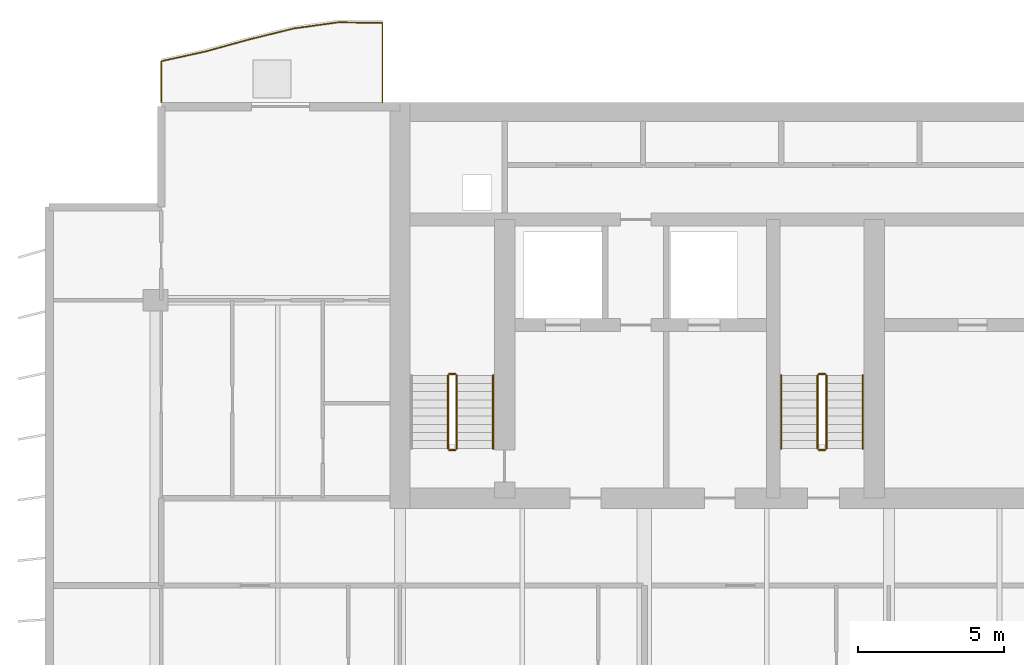
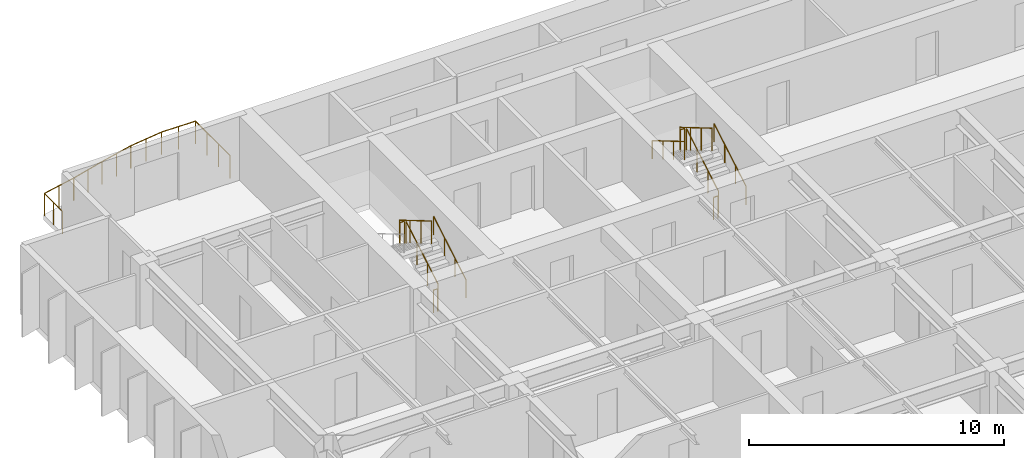
# One storey, part 14 of 16: 12 railings.
"""IFC4 building model written with IfcOpenShell, lengths in metres."""

from ifc_helpers import new_model, si_unit, direction, frame, origin, origin_2d, place, context, subcontext, project, spatial, circle, extrude, material, type_object, element, save


model = new_model("IFC4")

# Units and contexts
model_context = context("Model", 3, precision=1e-05, world=origin(), true_north=direction((0.0, 1.0)))
body_context = subcontext(model_context, "Body", "Model", "MODEL_VIEW")
ifc_project = project(units=[si_unit("LENGTHUNIT", "METRE"), si_unit("AREAUNIT", "SQUARE_METRE"), si_unit("VOLUMEUNIT", "CUBIC_METRE"), si_unit("PLANEANGLEUNIT", "RADIAN"), si_unit("MASSUNIT", "GRAM", prefix="KILO")], contexts=[model_context])

# Site, building, storey
site_placement = place(None, origin())
site = spatial("IfcSite", under=ifc_project, at=site_placement, CompositionType="ELEMENT")
building_placement = place(site_placement, origin())
building = spatial("IfcBuilding", under=site, at=building_placement, Name="Caelmar Bay Residences", CompositionType="ELEMENT")
storey_placement = place(building_placement, frame((0.0, 0.0, 211.5)))
storey = spatial("IfcBuildingStorey", under=building, at=storey_placement, Name="L59", CompositionType="ELEMENT", Elevation=211.5)

# Railings
ifc_material_1 = material(Name="Anodised bronze handrail with laminated hurricane glass infill", Category="glass")
railing_type_1 = type_object("IfcRailingType", Name="RL-BAL-1100", PredefinedType="BALUSTRADE", material=ifc_material_1)
railing_1_placement = place(storey_placement, frame((17.699951171875, 50.60009765625, 0.0)))
element("IfcRailing", 1, at=railing_1_placement, inside=storey, type_object=railing_type_1, Name="L59 north_west Balcony Balustrade", PredefinedType="BALUSTRADE", context=body_context, shape_type="SweptSolid", body=[
    extrude(circle(Radius=0.02392578125, at=origin_2d()), frame((0.0, 0.0, 1.076171875), z_axis=(0.0, 1.0, 0.0), x_axis=(-1.0, 0.0, 0.0)), (0.0, 0.0, 1.0), 2.7294921875),
    extrude(circle(Radius=0.02392578125, at=origin_2d()), frame((0.0, 2.7294921875, 1.076171875), z_axis=(-0.999921532492, 0.012527124885, 0.0), x_axis=(-0.012527124885, -0.999921532492, 0.0)), (0.0, 0.0, 1.0), 1.52001953125),
    extrude(circle(Radius=0.02392578125, at=origin_2d()), frame((-1.52001953125, 2.74853515625, 1.076171875), z_axis=(-0.990551196857, -0.137143451926, 0.0), x_axis=(0.137143451926, -0.990551196857, 0.0)), (0.0, 0.0, 1.0), 1.534423828125),
    extrude(circle(Radius=0.02392578125, at=origin_2d()), frame((-3.0400390625, 2.5380859375, 1.076171875), z_axis=(-0.971143394628, -0.238496346031, 0.0), x_axis=(0.238496346031, -0.971143394628, 0.0)), (0.0, 0.0, 1.0), 1.565185546875),
    extrude(circle(Radius=0.02392578125, at=origin_2d()), frame((-4.56005859375, 2.164794921875, 1.076171875), z_axis=(-0.964041885028, -0.265750341319, 0.0), x_axis=(0.265750341319, -0.964041885028, 0.0)), (0.0, 0.0, 1.0), 1.576416015625),
    extrude(circle(Radius=0.02392578125, at=origin_2d()), frame((-6.079833984375, 1.745849609375, 1.076171875), z_axis=(-0.976865202557, -0.2138559703, 0.0), x_axis=(0.2138559703, -0.976865202557, 0.0)), (0.0, 0.0, 1.0), 1.555908203125),
    extrude(circle(Radius=0.02392578125, at=origin_2d()), frame((-7.599853515625, 1.4130859375, 1.076171875), z_axis=(0.0, -1.0, 0.0), x_axis=(1.0, 0.0, 0.0)), (0.0, 0.0, 1.0), 1.4130859375),
    extrude(circle(Radius=0.02099609375, at=origin_2d()), origin(), (0.0, 0.0, 1.0), 1.052001953125),
    extrude(circle(Radius=0.02099609375, at=origin_2d()), frame((0.0, 0.909912109375, 0.0)), (0.0, 0.0, 1.0), 1.052001953125),
    extrude(circle(Radius=0.02099609375, at=origin_2d()), frame((0.0, 1.819580078125, 0.0)), (0.0, 0.0, 1.0), 1.052001953125),
    extrude(circle(Radius=0.02099609375, at=origin_2d()), frame((0.0, 2.7294921875, 0.0)), (0.0, 0.0, 1.0), 1.052001953125),
    extrude(circle(Radius=0.02099609375, at=origin_2d()), frame((-0.760009765625, 2.739013671875, 0.0)), (0.0, 0.0, 1.0), 1.052001953125),
    extrude(circle(Radius=0.02099609375, at=origin_2d()), frame((-1.52001953125, 2.74853515625, 0.0)), (0.0, 0.0, 1.0), 1.052001953125),
    extrude(circle(Radius=0.02099609375, at=origin_2d()), frame((-2.280029296875, 2.643310546875, 0.0)), (0.0, 0.0, 1.0), 1.052001953125),
    extrude(circle(Radius=0.02099609375, at=origin_2d()), frame((-3.0400390625, 2.5380859375, 0.0)), (0.0, 0.0, 1.0), 1.052001953125),
    extrude(circle(Radius=0.02099609375, at=origin_2d()), frame((-3.800048828125, 2.3515625, 0.0)), (0.0, 0.0, 1.0), 1.052001953125),
    extrude(circle(Radius=0.02099609375, at=origin_2d()), frame((-4.56005859375, 2.164794921875, 0.0)), (0.0, 0.0, 1.0), 1.052001953125),
    extrude(circle(Radius=0.02099609375, at=origin_2d()), frame((-5.31982421875, 1.955322265625, 0.0)), (0.0, 0.0, 1.0), 1.052001953125),
    extrude(circle(Radius=0.02099609375, at=origin_2d()), frame((-6.079833984375, 1.745849609375, 0.0)), (0.0, 0.0, 1.0), 1.052001953125),
    extrude(circle(Radius=0.02099609375, at=origin_2d()), frame((-6.83984375, 1.57958984375, 0.0)), (0.0, 0.0, 1.0), 1.052001953125),
    extrude(circle(Radius=0.02099609375, at=origin_2d()), frame((-7.599853515625, 1.4130859375, 0.0)), (0.0, 0.0, 1.0), 1.052001953125),
    extrude(circle(Radius=0.02099609375, at=origin_2d()), frame((-7.599853515625, 0.70654296875, 0.0)), (0.0, 0.0, 1.0), 1.052001953125),
    extrude(circle(Radius=0.02099609375, at=origin_2d()), frame((-7.599853515625, 0.0, 0.0)), (0.0, 0.0, 1.0), 1.052001953125),
])
ifc_material_2 = material(Name="Painted galvanized steel stair guard 1100 mm", Category="steel")
railing_type_2 = type_object("IfcRailingType", Name="RL-GRD-1100", PredefinedType="GUARDRAIL", material=ifc_material_2)
railing_2_placement = place(storey_placement, frame((20.25, 38.699951171875, 0.1650390625)))
element("IfcRailing", 2, at=railing_2_placement, inside=storey, type_object=railing_type_2, Name="L59 ST1 stair guard 1", PredefinedType="GUARDRAIL", context=body_context, shape_type="SweptSolid", body=[
    extrude(circle(Radius=0.02392578125, at=origin_2d()), frame((0.0, 0.0, 1.076171875), z_axis=(0.0, 0.861560626758, 0.507654692109), x_axis=(-1.0, 0.0, 0.0)), (0.0, 0.0, 1.0), 2.925048828125),
    extrude(circle(Radius=0.02099609375, at=origin_2d()), origin(), (0.0, 0.0, 1.0), 1.052001953125),
    extrude(circle(Radius=0.02099609375, at=origin_2d()), frame((0.0, 0.840087890625, 0.494873046875)), (0.0, 0.0, 1.0), 1.052001953125),
    extrude(circle(Radius=0.02099609375, at=origin_2d()), frame((0.0, 1.679931640625, 0.989990234375)), (0.0, 0.0, 1.0), 1.052001953125),
    extrude(circle(Radius=0.02099609375, at=origin_2d()), frame((0.0, 2.52001953125, 1.48486328125)), (0.0, 0.0, 1.0), 1.052001953125),
])
railing_3_placement = place(storey_placement, frame((20.199951171875, 41.27001953125, 1.64990234375)))
element("IfcRailing", 3, at=railing_3_placement, inside=storey, type_object=railing_type_2, Name="L59 ST1 stair guard 2", PredefinedType="GUARDRAIL", context=body_context, shape_type="SweptSolid", body=[
    extrude(circle(Radius=0.02392578125, at=origin_2d()), frame((0.0, 0.0, 1.076171875), z_axis=(-1.0, 0.0, 0.0), x_axis=(0.0, -1.0, 0.0)), (0.0, 0.0, 1.0), 0.199951171875),
    extrude(circle(Radius=0.02099609375, at=origin_2d()), origin(), (0.0, 0.0, 1.0), 1.052001953125),
    extrude(circle(Radius=0.02099609375, at=origin_2d()), frame((-0.199951171875, 0.0, 0.0)), (0.0, 0.0, 1.0), 1.052001953125),
])
railing_4_placement = place(storey_placement, frame((19.949951171875, 41.219970703125, 1.81494140625)))
element("IfcRailing", 4, at=railing_4_placement, inside=storey, type_object=railing_type_2, Name="L59 ST1 stair guard 3", PredefinedType="GUARDRAIL", context=body_context, shape_type="SweptSolid", body=[
    extrude(circle(Radius=0.02392578125, at=origin_2d()), frame((0.0, 0.0, 1.076171875), z_axis=(0.0, -0.86152411907, 0.507716645641), x_axis=(1.0, 0.0, 0.0)), (0.0, 0.0, 1.0), 2.925048828125),
    extrude(circle(Radius=0.02099609375, at=origin_2d()), origin(), (0.0, 0.0, 1.0), 1.052001953125),
    extrude(circle(Radius=0.02099609375, at=origin_2d()), frame((0.0, -0.840087890625, 0.4951171875)), (0.0, 0.0, 1.0), 1.052001953125),
    extrude(circle(Radius=0.02099609375, at=origin_2d()), frame((0.0, -1.679931640625, 0.989990234375)), (0.0, 0.0, 1.0), 1.052001953125),
    extrude(circle(Radius=0.02099609375, at=origin_2d()), frame((0.0, -2.52001953125, 1.485107421875)), (0.0, 0.0, 1.0), 1.052001953125),
])
railing_5_placement = place(storey_placement, frame((20.199951171875, 38.64990234375, 0.0)))
element("IfcRailing", 5, at=railing_5_placement, inside=storey, type_object=railing_type_2, Name="L59 ST1 stair guard 4", PredefinedType="GUARDRAIL", context=body_context, shape_type="SweptSolid", body=[
    extrude(circle(Radius=0.02392578125, at=origin_2d()), frame((0.0, 0.0, 1.076171875), z_axis=(-1.0, 0.0, 0.0), x_axis=(0.0, -1.0, 0.0)), (0.0, 0.0, 1.0), 0.199951171875),
    extrude(circle(Radius=0.02099609375, at=origin_2d()), origin(), (0.0, 0.0, 1.0), 1.052001953125),
    extrude(circle(Radius=0.02099609375, at=origin_2d()), frame((-0.199951171875, 0.0, 0.0)), (0.0, 0.0, 1.0), 1.052001953125),
])
railing_6_placement = place(storey_placement, frame((32.949951171875, 38.699951171875, 0.1650390625)))
element("IfcRailing", 6, at=railing_6_placement, inside=storey, type_object=railing_type_2, Name="L59 ST3 stair guard 1", PredefinedType="GUARDRAIL", context=body_context, shape_type="SweptSolid", body=[
    extrude(circle(Radius=0.02392578125, at=origin_2d()), frame((0.0, 0.0, 1.076171875), z_axis=(0.0, 0.861560626758, 0.507654692109), x_axis=(-1.0, 0.0, 0.0)), (0.0, 0.0, 1.0), 2.925048828125),
    extrude(circle(Radius=0.02099609375, at=origin_2d()), origin(), (0.0, 0.0, 1.0), 1.052001953125),
    extrude(circle(Radius=0.02099609375, at=origin_2d()), frame((0.0, 0.840087890625, 0.494873046875)), (0.0, 0.0, 1.0), 1.052001953125),
    extrude(circle(Radius=0.02099609375, at=origin_2d()), frame((0.0, 1.679931640625, 0.989990234375)), (0.0, 0.0, 1.0), 1.052001953125),
    extrude(circle(Radius=0.02099609375, at=origin_2d()), frame((0.0, 2.52001953125, 1.48486328125)), (0.0, 0.0, 1.0), 1.052001953125),
])
railing_7_placement = place(storey_placement, frame((32.89990234375, 41.27001953125, 1.64990234375)))
element("IfcRailing", 7, at=railing_7_placement, inside=storey, type_object=railing_type_2, Name="L59 ST3 stair guard 2", PredefinedType="GUARDRAIL", context=body_context, shape_type="SweptSolid", body=[
    extrude(circle(Radius=0.02392578125, at=origin_2d()), frame((0.0, 0.0, 1.076171875), z_axis=(-1.0, 0.0, 0.0), x_axis=(0.0, -1.0, 0.0)), (0.0, 0.0, 1.0), 0.199951171875),
    extrude(circle(Radius=0.02099609375, at=origin_2d()), origin(), (0.0, 0.0, 1.0), 1.052001953125),
    extrude(circle(Radius=0.02099609375, at=origin_2d()), frame((-0.199951171875, 0.0, 0.0)), (0.0, 0.0, 1.0), 1.052001953125),
])
railing_8_placement = place(storey_placement, frame((32.64990234375, 41.219970703125, 1.81494140625)))
element("IfcRailing", 8, at=railing_8_placement, inside=storey, type_object=railing_type_2, Name="L59 ST3 stair guard 3", PredefinedType="GUARDRAIL", context=body_context, shape_type="SweptSolid", body=[
    extrude(circle(Radius=0.02392578125, at=origin_2d()), frame((0.0, 0.0, 1.076171875), z_axis=(0.0, -0.86152411907, 0.507716645641), x_axis=(1.0, 0.0, 0.0)), (0.0, 0.0, 1.0), 2.925048828125),
    extrude(circle(Radius=0.02099609375, at=origin_2d()), origin(), (0.0, 0.0, 1.0), 1.052001953125),
    extrude(circle(Radius=0.02099609375, at=origin_2d()), frame((0.0, -0.840087890625, 0.4951171875)), (0.0, 0.0, 1.0), 1.052001953125),
    extrude(circle(Radius=0.02099609375, at=origin_2d()), frame((0.0, -1.679931640625, 0.989990234375)), (0.0, 0.0, 1.0), 1.052001953125),
    extrude(circle(Radius=0.02099609375, at=origin_2d()), frame((0.0, -2.52001953125, 1.485107421875)), (0.0, 0.0, 1.0), 1.052001953125),
])
railing_9_placement = place(storey_placement, frame((32.89990234375, 38.64990234375, 0.0)))
element("IfcRailing", 9, at=railing_9_placement, inside=storey, type_object=railing_type_2, Name="L59 ST3 stair guard 4", PredefinedType="GUARDRAIL", context=body_context, shape_type="SweptSolid", body=[
    extrude(circle(Radius=0.02392578125, at=origin_2d()), frame((0.0, 0.0, 1.076171875), z_axis=(-1.0, 0.0, 0.0), x_axis=(0.0, -1.0, 0.0)), (0.0, 0.0, 1.0), 0.199951171875),
    extrude(circle(Radius=0.02099609375, at=origin_2d()), origin(), (0.0, 0.0, 1.0), 1.052001953125),
    extrude(circle(Radius=0.02099609375, at=origin_2d()), frame((-0.199951171875, 0.0, 0.0)), (0.0, 0.0, 1.0), 1.052001953125),
])
ifc_material_3 = material(Name="Brushed bronze stainless-steel tubular handrail 900 mm", Category="steel")
railing_type_3 = type_object("IfcRailingType", Name="RL-HND-900", PredefinedType="HANDRAIL", material=ifc_material_3)
for number, where, name in (
    (10, (21.5, 38.699951171875, 0.1650390625), "L59 ST1 stair handrail 1"),
    (11, (34.199951171875, 38.699951171875, 0.1650390625), "L59 ST3 stair handrail 1"),
):
    element("IfcRailing", number, at=place(storey_placement, frame(where)), inside=storey, type_object=railing_type_3, Name=name, PredefinedType="HANDRAIL", context=body_context, shape_type="SweptSolid", body=[
        extrude(circle(Radius=0.02392578125, at=origin_2d()), frame((0.0, 0.0, 0.8759765625), z_axis=(0.0, 0.861560626758, 0.507654692109), x_axis=(-1.0, 0.0, 0.0)), (0.0, 0.0, 1.0), 2.925048828125),
        extrude(circle(Radius=0.02099609375, at=origin_2d()), origin(), (0.0, 0.0, 1.0), 0.851806640625),
        extrude(circle(Radius=0.02099609375, at=origin_2d()), frame((0.0, 0.840087890625, 0.494873046875)), (0.0, 0.0, 1.0), 0.851806640625),
        extrude(circle(Radius=0.02099609375, at=origin_2d()), frame((0.0, 1.679931640625, 0.989990234375)), (0.0, 0.0, 1.0), 0.851806640625),
        extrude(circle(Radius=0.02099609375, at=origin_2d()), frame((0.0, 2.52001953125, 1.48486328125)), (0.0, 0.0, 1.0), 0.851806640625),
    ])
railing_10_placement = place(storey_placement, frame((31.39990234375, 41.219970703125, 1.81494140625)))
element("IfcRailing", 12, at=railing_10_placement, inside=storey, type_object=railing_type_3, Name="L59 ST3 stair handrail 2", PredefinedType="HANDRAIL", context=body_context, shape_type="SweptSolid", body=[
    extrude(circle(Radius=0.02392578125, at=origin_2d()), frame((0.0, 0.0, 0.8759765625), z_axis=(0.0, -0.86152411907, 0.507716645641), x_axis=(1.0, 0.0, 0.0)), (0.0, 0.0, 1.0), 2.925048828125),
    extrude(circle(Radius=0.02099609375, at=origin_2d()), origin(), (0.0, 0.0, 1.0), 0.851806640625),
    extrude(circle(Radius=0.02099609375, at=origin_2d()), frame((0.0, -0.840087890625, 0.4951171875)), (0.0, 0.0, 1.0), 0.851806640625),
    extrude(circle(Radius=0.02099609375, at=origin_2d()), frame((0.0, -1.679931640625, 0.989990234375)), (0.0, 0.0, 1.0), 0.851806640625),
    extrude(circle(Radius=0.02099609375, at=origin_2d()), frame((0.0, -2.52001953125, 1.485107421875)), (0.0, 0.0, 1.0), 0.851806640625),
])

save(model, "model.ifc")
